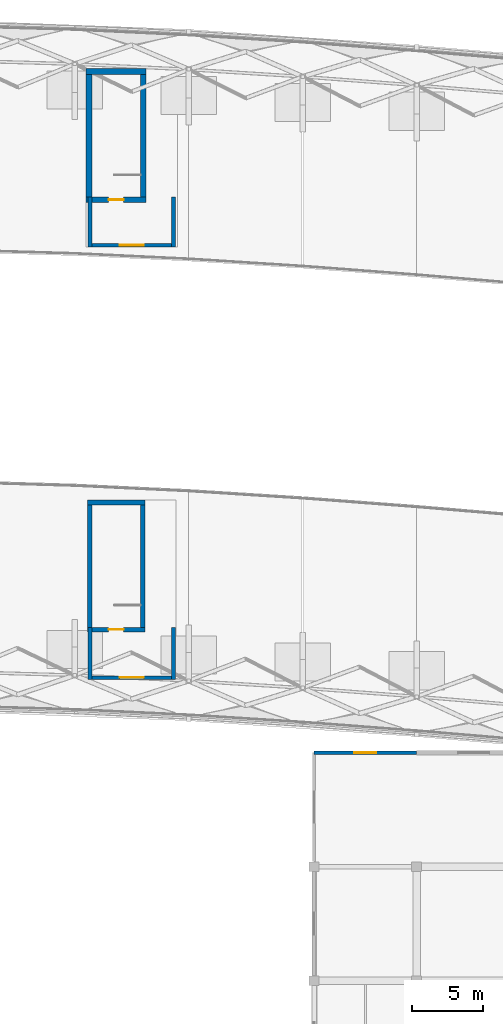
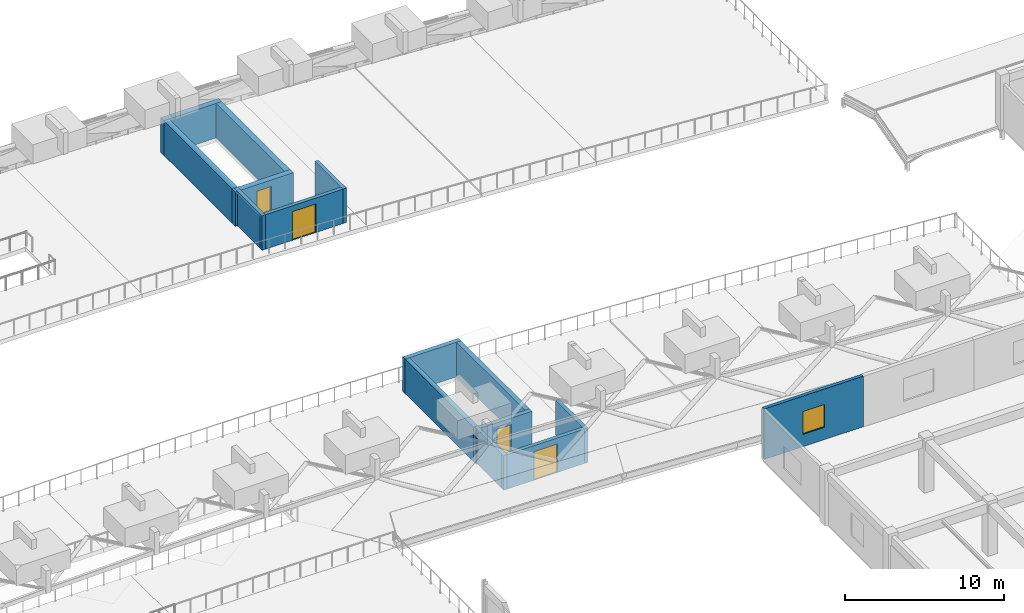
# One storey, part 46 of 67: 15 walls, 4 doors, 1 window, 5 openings.
"""IFC4 building model written with IfcOpenShell, lengths in metres."""

from ifc_helpers import new_model, si_unit, direction, frame, frame_2d, origin, place, context, subcontext, project, spatial, rectangle, extrude, material, layer, layer_set, type_object, element, fill, save


model = new_model("IFC4")

# Units and contexts
model_context = context("Model", 3, precision=1e-05, world=origin(), true_north=direction((0.0, 1.0)))
body_context = subcontext(model_context, "Body", "Model", "MODEL_VIEW")
ifc_project = project(units=[si_unit("LENGTHUNIT", "METRE"), si_unit("AREAUNIT", "SQUARE_METRE"), si_unit("VOLUMEUNIT", "CUBIC_METRE"), si_unit("PLANEANGLEUNIT", "RADIAN"), si_unit("MASSUNIT", "GRAM", prefix="KILO")], contexts=[model_context])

# Site, building, storey
site_placement = place(None, origin())
site = spatial("IfcSite", under=ifc_project, at=site_placement, CompositionType="ELEMENT")
building_placement = place(site_placement, origin())
building = spatial("IfcBuilding", under=site, at=building_placement, Name="Kenh Van Central Station", CompositionType="ELEMENT")
storey_placement = place(building_placement, frame((0.0, 0.0, 10.800048828125)))
storey = spatial("IfcBuildingStorey", under=building, at=storey_placement, Name="L02", CompositionType="ELEMENT", Elevation=10.800048828125)

# Wall, opening, door
ifc_material_1 = material(Name="Concrete C40/50", Category="concrete")
ifc_layer_1 = layer(ifc_material_1, 0.320068359375, Name="Concrete C40/50")
ifc_layer_set_1 = layer_set([ifc_layer_1], Name="Concrete C40/50")
wall_type_1 = type_object("IfcWallType", Name="WL-CORE-320", PredefinedType="SHEAR", material=ifc_layer_set_1)
wall_1_placement = place(storey_placement, frame((104.8798828125, 72.639892578125, 0.0), z_axis=(0.0, 0.0, 1.0), x_axis=(1.0, 0.0, 0.0)))
wall_1 = element("IfcWall", 1, at=wall_1_placement, inside=storey, type_object=wall_type_1, Name="L02 CORE-06 stair wall S", PredefinedType="SHEAR", context=body_context, shape_type="SweptSolid", body=[
    extrude(rectangle(XDim=4.0400390625, YDim=0.320068359375, at=frame_2d((2.02001953125, 0.0))), origin(), (0.0, 0.0, 1.0), 2.64990234375),
])
opening_1_placement = place(wall_1_placement, frame((1.4951171875, 0.0, 0.0)))
opening_1 = element("IfcOpeningElement", 2, at=opening_1_placement, cuts=wall_1, Name="Opening D-FD60", PredefinedType="OPENING", context=body_context, shape_type="SweptSolid", body=[
    extrude(rectangle(XDim=1.050048828125, YDim=2.14990234375, at=frame_2d((0.52490234375, 1.074951171875))), frame((0.0, 0.169921875, 0.0), z_axis=(0.0, -1.0, 0.0), x_axis=(1.0, 0.0, 0.0)), (0.0, 0.0, 1.0), 0.340087890625),
])
ifc_material_2 = material(Name="Champagne anodised aluminium", Category="aluminium")
door_type_1 = type_object("IfcDoorType", Name="DR-FIRE-1050x2150", OperationType="NOTDEFINED", PredefinedType="DOOR", material=ifc_material_2)
door_1_placement = place(opening_1_placement, origin())
door_1 = element("IfcDoor", 3, at=door_1_placement, inside=storey, type_object=door_type_1, Name="L02 ST-06 stair door", OperationType="SINGLE_SWING_RIGHT", OverallHeight=2.14990234375, OverallWidth=1.050048828125, PredefinedType="DOOR", context=body_context, shape_type="SweptSolid", body=[
    extrude(rectangle(XDim=1.050048828125, YDim=2.14990234375, at=frame_2d((0.52490234375, 1.074951171875))), frame((0.0, 0.02490234375, 0.0), z_axis=(0.0, -1.0, 0.0), x_axis=(1.0, 0.0, 0.0)), (0.0, 0.0, 1.0), 0.050048828125),
])
fill(opening_1, door_1)

# Walls
wall_2_placement = place(storey_placement, frame((104.8798828125, 81.56005859375, 0.0), z_axis=(0.0, 0.0, 1.0), x_axis=(1.0, 0.0, 0.0)))
element("IfcWall", 4, at=wall_2_placement, inside=storey, type_object=wall_type_1, Name="L02 CORE-06 stair wall N", PredefinedType="SHEAR", context=body_context, shape_type="SweptSolid", body=[
    extrude(rectangle(XDim=4.0400390625, YDim=0.320068359375, at=frame_2d((2.02001953125, 0.0))), origin(), (0.0, 0.0, 1.0), 2.64990234375),
])
for number, where, z_axis, x_axis, name in (
    (5, (105.0400390625, 72.800048828125, 0.0), (0.0, 0.0, 1.0), (0.0, 1.0, 0.0), "L02 CORE-06 stair wall W"),
    (6, (108.760009765625, 72.800048828125, 0.0), (0.0, 0.0, 1.0), (0.0, 1.0, 0.0), "L02 CORE-06 stair wall E"),
):
    element("IfcWall", number, at=place(storey_placement, frame(where, z_axis=z_axis, x_axis=x_axis)), inside=storey, type_object=wall_type_1, Name=name, PredefinedType="SHEAR", context=body_context, shape_type="SweptSolid", body=[
        extrude(rectangle(XDim=8.599853515625, YDim=0.320068359375, at=frame_2d((4.2998046875, 0.0))), origin(), (0.0, 0.0, 1.0), 2.64990234375),
    ])

# Wall, opening, door
ifc_layer_2 = layer(ifc_material_1, 0.39990234375, Name="Concrete C40/50")
ifc_layer_set_2 = layer_set([ifc_layer_2], Name="Concrete C40/50")
wall_type_2 = type_object("IfcWallType", Name="WL-CORE-400", PredefinedType="SHEAR", material=ifc_layer_set_2)
wall_3_placement = place(storey_placement, frame((104.800048828125, 102.800048828125, 0.0), z_axis=(0.0, 0.0, 1.0), x_axis=(1.0, 0.0, 0.0)))
wall_3 = element("IfcWall", 7, at=wall_3_placement, inside=storey, type_object=wall_type_2, Name="L02 CORE-08 stair wall S", PredefinedType="SHEAR", context=body_context, shape_type="SweptSolid", body=[
    extrude(rectangle(XDim=4.199951171875, YDim=0.39990234375, at=frame_2d((2.10009765625, 0.0))), origin(), (0.0, 0.0, 1.0), 2.64990234375),
])
opening_2_placement = place(wall_3_placement, frame((1.574951171875, 0.0, 0.0)))
opening_2 = element("IfcOpeningElement", 8, at=opening_2_placement, cuts=wall_3, Name="Opening D-FD60", PredefinedType="OPENING", context=body_context, shape_type="SweptSolid", body=[
    extrude(rectangle(XDim=1.050048828125, YDim=2.14990234375, at=frame_2d((0.52490234375, 1.074951171875))), frame((0.0, 0.2099609375, 0.0), z_axis=(0.0, -1.0, 0.0), x_axis=(1.0, 0.0, 0.0)), (0.0, 0.0, 1.0), 0.419921875),
])
door_2_placement = place(opening_2_placement, origin())
door_2 = element("IfcDoor", 9, at=door_2_placement, inside=storey, type_object=door_type_1, Name="L02 ST-08 stair door", OperationType="SINGLE_SWING_RIGHT", OverallHeight=2.14990234375, OverallWidth=1.050048828125, PredefinedType="DOOR", context=body_context, shape_type="SweptSolid", body=[
    extrude(rectangle(XDim=1.050048828125, YDim=2.14990234375, at=frame_2d((0.52490234375, 1.074951171875))), frame((0.0, 0.02490234375, 0.0), z_axis=(0.0, -1.0, 0.0), x_axis=(1.0, 0.0, 0.0)), (0.0, 0.0, 1.0), 0.050048828125),
])
fill(opening_2, door_2)

# Walls
wall_4_placement = place(storey_placement, frame((104.800048828125, 111.800048828125, 0.0), z_axis=(0.0, 0.0, 1.0), x_axis=(1.0, 0.0, 0.0)))
element("IfcWall", 10, at=wall_4_placement, inside=storey, type_object=wall_type_2, Name="L02 CORE-08 stair wall N", PredefinedType="SHEAR", context=body_context, shape_type="SweptSolid", body=[
    extrude(rectangle(XDim=4.199951171875, YDim=0.39990234375, at=frame_2d((2.10009765625, 0.0))), origin(), (0.0, 0.0, 1.0), 2.64990234375),
])
for number, where, z_axis, x_axis, name in (
    (11, (105.0, 103.0, 0.0), (0.0, 0.0, 1.0), (0.0, 1.0, 0.0), "L02 CORE-08 stair wall W"),
    (12, (108.800048828125, 103.0, 0.0), (0.0, 0.0, 1.0), (0.0, 1.0, 0.0), "L02 CORE-08 stair wall E"),
):
    element("IfcWall", number, at=place(storey_placement, frame(where, z_axis=z_axis, x_axis=x_axis)), inside=storey, type_object=wall_type_2, Name=name, PredefinedType="SHEAR", context=body_context, shape_type="SweptSolid", body=[
        extrude(rectangle(XDim=8.60009765625, YDim=0.39990234375, at=frame_2d((4.300048828125, 0.0))), origin(), (0.0, 0.0, 1.0), 2.64990234375),
    ])

# Wall, opening, door
ifc_layer_3 = layer(ifc_material_1, 0.260009765625, Name="Concrete C40/50")
ifc_layer_set_3 = layer_set([ifc_layer_3], Name="Concrete C40/50")
wall_type_3 = type_object("IfcWallType", Name="WL-FIRE-260", PredefinedType="SHEAR", material=ifc_layer_set_3)
wall_5_placement = place(storey_placement, frame((111.06005859375, 69.27001953125, 0.0), z_axis=(0.0, 0.0, 1.0), x_axis=(-1.0, 0.0, 0.0)))
wall_5 = element("IfcWall", 13, at=wall_5_placement, inside=storey, type_object=wall_type_3, Name="L02 CORE-06 lobby wall S", PredefinedType="SHEAR", context=body_context, shape_type="SweptSolid", body=[
    extrude(rectangle(XDim=6.1201171875, YDim=0.260009765625, at=frame_2d((3.06005859375, 0.0))), origin(), (0.0, 0.0, 1.0), 2.64990234375),
])
opening_3_placement = place(wall_5_placement, frame((2.2099609375, 0.0, 0.0)))
opening_3 = element("IfcOpeningElement", 14, at=opening_3_placement, cuts=wall_5, Name="Opening D-FD60D", PredefinedType="OPENING", context=body_context, shape_type="SweptSolid", body=[
    extrude(rectangle(XDim=1.699951171875, YDim=2.199951171875, at=frame_2d((0.85009765625, 1.10009765625))), frame((0.0, 0.139892578125, 0.0), z_axis=(0.0, -1.0, 0.0), x_axis=(1.0, 0.0, 0.0)), (0.0, 0.0, 1.0), 0.280029296875),
])
door_type_2 = type_object("IfcDoorType", Name="DR-FIRE-1700x2200", OperationType="DOUBLE_DOOR_SINGLE_SWING", PredefinedType="DOOR", material=ifc_material_2)
door_3_placement = place(opening_3_placement, origin())
door_3 = element("IfcDoor", 15, at=door_3_placement, inside=storey, type_object=door_type_2, Name="L02 CORE-06 smoke-stop lobby door", OperationType="DOUBLE_DOOR_SINGLE_SWING", OverallHeight=2.199951171875, OverallWidth=1.699951171875, PredefinedType="DOOR", context=body_context, shape_type="SweptSolid", body=[
    extrude(rectangle(XDim=1.699951171875, YDim=2.199951171875, at=frame_2d((0.85009765625, 1.10009765625))), frame((0.0, 0.02490234375, 0.0), z_axis=(0.0, -1.0, 0.0), x_axis=(1.0, 0.0, 0.0)), (0.0, 0.0, 1.0), 0.050048828125),
])
fill(opening_3, door_3)

# Walls
for number, where, z_axis, x_axis, name in (
    (16, (105.070068359375, 69.139892578125, 0.0), (0.0, 0.0, 1.0), (0.0, 1.0, 0.0), "L02 CORE-06 lobby wall W"),
    (17, (110.929931640625, 69.139892578125, 0.0), (0.0, 0.0, 1.0), (0.0, 1.0, 0.0), "L02 CORE-06 lobby wall E"),
):
    element("IfcWall", number, at=place(storey_placement, frame(where, z_axis=z_axis, x_axis=x_axis)), inside=storey, type_object=wall_type_3, Name=name, PredefinedType="SHEAR", context=body_context, shape_type="SweptSolid", body=[
        extrude(rectangle(XDim=3.66015625, YDim=0.260009765625, at=frame_2d((1.830078125, 0.0))), origin(), (0.0, 0.0, 1.0), 2.64990234375),
    ])

# Wall, opening, door
wall_6_placement = place(storey_placement, frame((111.06005859375, 99.6201171875, 0.0), z_axis=(0.0, 0.0, 1.0), x_axis=(-1.0, 0.0, 0.0)))
wall_6 = element("IfcWall", 18, at=wall_6_placement, inside=storey, type_object=wall_type_3, Name="L02 CORE-08 lobby wall S", PredefinedType="SHEAR", context=body_context, shape_type="SweptSolid", body=[
    extrude(rectangle(XDim=6.1201171875, YDim=0.260009765625, at=frame_2d((3.06005859375, 0.0))), origin(), (0.0, 0.0, 1.0), 2.64990234375),
])
opening_4_placement = place(wall_6_placement, frame((2.2099609375, 0.0, 0.0)))
opening_4 = element("IfcOpeningElement", 19, at=opening_4_placement, cuts=wall_6, Name="Opening D-FD60D", PredefinedType="OPENING", context=body_context, shape_type="SweptSolid", body=[
    extrude(rectangle(XDim=1.699951171875, YDim=2.199951171875, at=frame_2d((0.85009765625, 1.10009765625))), frame((0.0, 0.139892578125, 0.0), z_axis=(0.0, -1.0, 0.0), x_axis=(1.0, 0.0, 0.0)), (0.0, 0.0, 1.0), 0.280029296875),
])
door_4_placement = place(opening_4_placement, origin())
door_4 = element("IfcDoor", 20, at=door_4_placement, inside=storey, type_object=door_type_2, Name="L02 CORE-08 smoke-stop lobby door", OperationType="DOUBLE_DOOR_SINGLE_SWING", OverallHeight=2.199951171875, OverallWidth=1.699951171875, PredefinedType="DOOR", context=body_context, shape_type="SweptSolid", body=[
    extrude(rectangle(XDim=1.699951171875, YDim=2.199951171875, at=frame_2d((0.85009765625, 1.10009765625))), frame((0.0, 0.02490234375, 0.0), z_axis=(0.0, -1.0, 0.0), x_axis=(1.0, 0.0, 0.0)), (0.0, 0.0, 1.0), 0.050048828125),
])
fill(opening_4, door_4)

# Walls
for number, where, z_axis, x_axis, name in (
    (21, (105.070068359375, 99.489990234375, 0.0), (0.0, 0.0, 1.0), (0.0, 1.0, 0.0), "L02 CORE-08 lobby wall W"),
    (22, (110.929931640625, 99.489990234375, 0.0), (0.0, 0.0, 1.0), (0.0, 1.0, 0.0), "L02 CORE-08 lobby wall E"),
):
    element("IfcWall", number, at=place(storey_placement, frame(where, z_axis=z_axis, x_axis=x_axis)), inside=storey, type_object=wall_type_3, Name=name, PredefinedType="SHEAR", context=body_context, shape_type="SweptSolid", body=[
        extrude(rectangle(XDim=3.510009765625, YDim=0.260009765625, at=frame_2d((1.7548828125, 0.0))), origin(), (0.0, 0.0, 1.0), 2.64990234375),
    ])

# Wall, opening, window
ifc_material_3 = material(Name="Glazed terracotta architectural masonry", Category="masonry")
ifc_layer_4 = layer(ifc_material_3, 0.239990234375, Name="Glazed terracotta architectural masonry")
ifc_layer_set_4 = layer_set([ifc_layer_4], Name="Glazed terracotta architectural masonry")
wall_type_4 = type_object("IfcWallType", Name="WL-SLD-240", PredefinedType="SOLIDWALL", material=ifc_layer_set_4)
wall_7_placement = place(storey_placement, frame((128.0, 64.0, 0.0), z_axis=(0.0, 0.0, 1.0), x_axis=(-1.0, 0.0, 0.0)))
wall_7 = element("IfcWall", 23, at=wall_7_placement, inside=storey, type_object=wall_type_4, Name="L02 exterior wall 093", PredefinedType="SOLIDWALL", context=body_context, shape_type="SweptSolid", body=[
    extrude(rectangle(XDim=7.199951171875, YDim=0.239990234375, at=frame_2d((3.60009765625, 0.0))), origin(), (0.0, 0.0, 1.0), 3.8798828125),
])
opening_5_placement = place(wall_7_placement, frame((2.824951171875, 0.0, 0.949951171875)))
opening_5 = element("IfcOpeningElement", 24, at=opening_5_placement, cuts=wall_7, Name="Opening WN-17", PredefinedType="OPENING", context=body_context, shape_type="SweptSolid", body=[
    extrude(rectangle(XDim=1.550048828125, YDim=1.75, at=frame_2d((0.77490234375, 0.875))), frame((0.0, 0.1298828125, 0.0), z_axis=(0.0, -1.0, 0.0), x_axis=(1.0, 0.0, 0.0)), (0.0, 0.0, 1.0), 0.260009765625),
])
ifc_material_4 = material(Name="Double-glazed low-E laminated solar glass", Category="glass")
window_type = type_object("IfcWindowType", Name="WN-OP02-1550x1750", PartitioningType="SINGLE_PANEL", PredefinedType="WINDOW", material=ifc_material_4)
window_placement = place(opening_5_placement, origin())
window = element("IfcWindow", 25, at=window_placement, inside=storey, type_object=window_type, Name="L02 window 063", OverallHeight=1.75, OverallWidth=1.550048828125, PartitioningType="SINGLE_PANEL", PredefinedType="WINDOW", context=body_context, shape_type="SweptSolid", body=[
    extrude(rectangle(XDim=1.550048828125, YDim=1.75, at=frame_2d((0.77490234375, 0.875))), frame((0.0, 0.030029296875, 0.0), z_axis=(0.0, -1.0, 0.0), x_axis=(1.0, 0.0, 0.0)), (0.0, 0.0, 1.0), 0.06005859375),
])
fill(opening_5, window)

save(model, "model.ifc")
